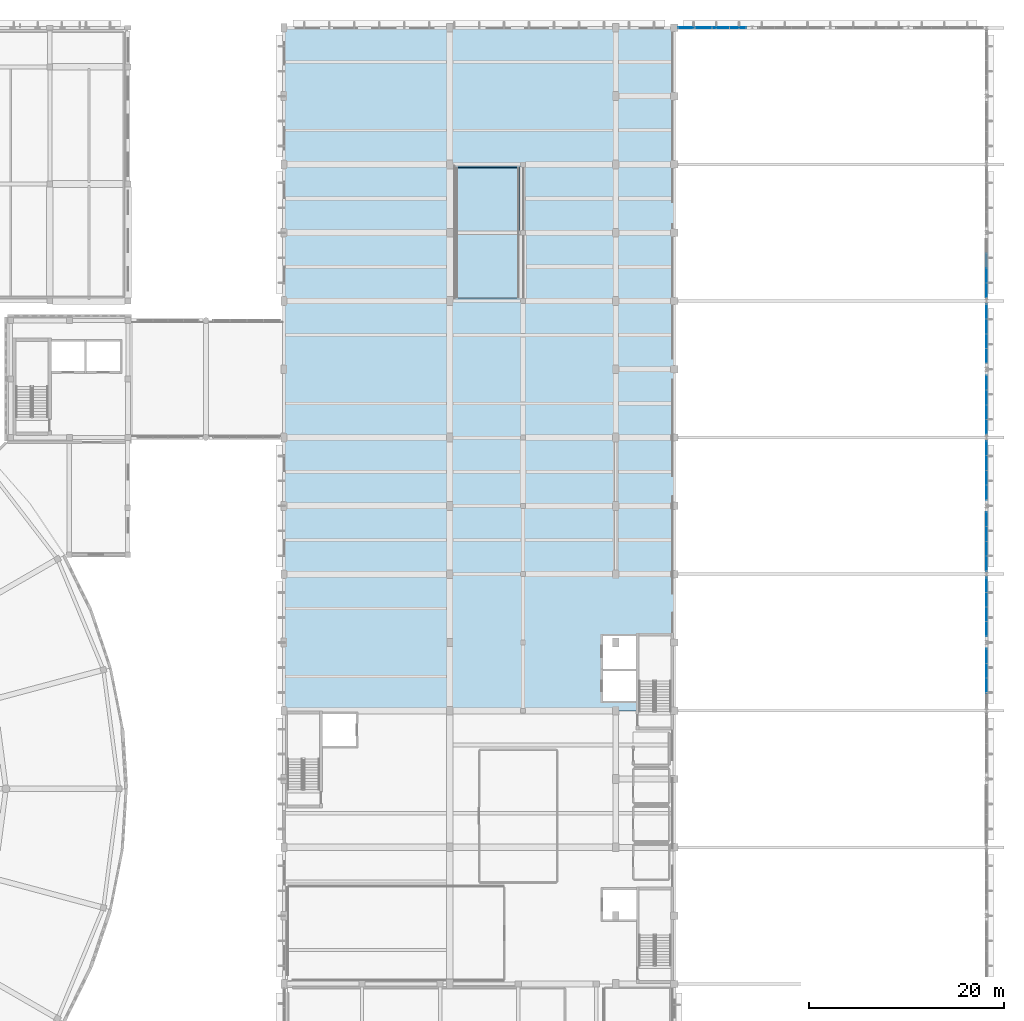
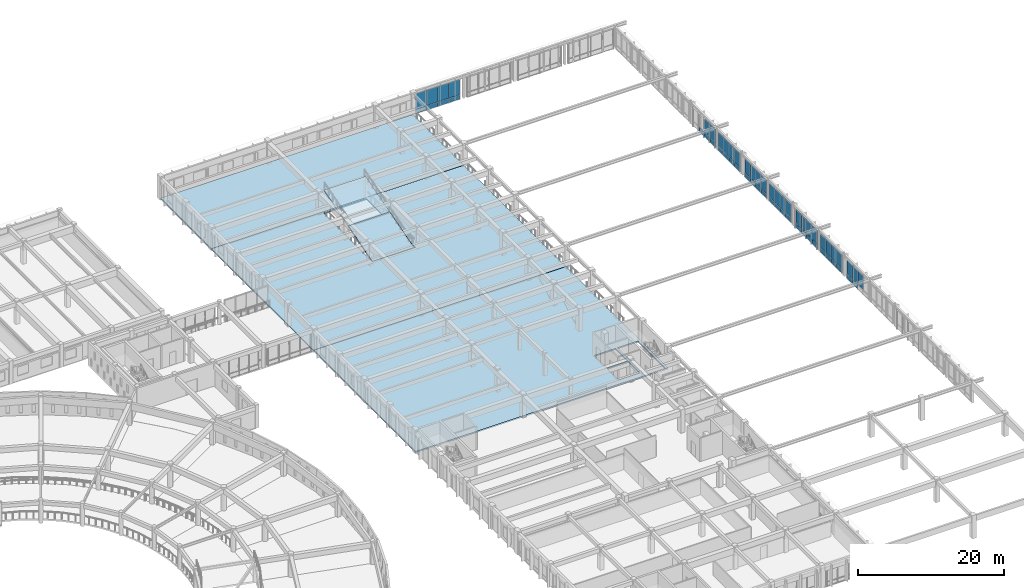
# One storey, part 51 of 98: 58 plates, 5 slabs, 8 elements without a shape of their own.
"""IFC4 building model written with IfcOpenShell, lengths in metres."""

from ifc_helpers import new_model, si_unit, direction, frame, origin, origin_2d, place, context, subcontext, project, spatial, polyline, rectangle, outline, extrude, material, layer, layer_set, type_object, element, aggregate, save


model = new_model("IFC4")

# Units and contexts
model_context = context("Model", 3, precision=1e-05, world=origin(), true_north=direction((0.0, 1.0)))
body_context = subcontext(model_context, "Body", "Model", "MODEL_VIEW")
ifc_project = project(units=[si_unit("LENGTHUNIT", "METRE"), si_unit("AREAUNIT", "SQUARE_METRE"), si_unit("VOLUMEUNIT", "CUBIC_METRE"), si_unit("PLANEANGLEUNIT", "RADIAN"), si_unit("MASSUNIT", "GRAM", prefix="KILO")], contexts=[model_context])

# Site, building, storey
site_placement = place(None, origin())
site = spatial("IfcSite", under=ifc_project, at=site_placement, CompositionType="ELEMENT")
building_placement = place(site_placement, origin())
building = spatial("IfcBuilding", under=site, at=building_placement, Name="Larkveld Mobility Hub", CompositionType="ELEMENT")
storey_placement = place(building_placement, frame((0.0, 0.0, 4.5)))
storey = spatial("IfcBuildingStorey", under=building, at=storey_placement, Name="L01", CompositionType="ELEMENT", Elevation=4.5)

# Curtain wall, plates
ifc_material_1 = material(Name="Anodised aluminium 6063-T6", Category="aluminium")
curtain_wall_type_1 = type_object("IfcCurtainWallType", Name="CW-SYS-07", PredefinedType="NOTDEFINED", material=ifc_material_1)
curtain_wall_1_placement = place(storey_placement, origin())
curtain_wall_1 = element("IfcCurtainWall", 1, at=curtain_wall_1_placement, inside=storey, type_object=curtain_wall_type_1, Name="Bus Hall Upper East Glazing B3 CW-055", PredefinedType="NOTDEFINED")
ifc_material_2 = material(Name="Low-E laminated solar-control double glazing", Category="glass")
ifc_layer_1 = layer(ifc_material_2, 0.028076171875, Name="Low-E laminated solar-control double glazing", Category="glass")
ifc_layer_set_1 = layer_set([ifc_layer_1], Name="Low-E laminated solar-control double glazing")
plate_type_1 = type_object("IfcPlateType", Name="CW-PNL-GL01", PredefinedType="CURTAIN_PANEL", material=ifc_layer_set_1)
plate_1_placement = place(storey_placement, frame((184.0, 64.388916015625, 0.75), z_axis=(0.0, 0.0, 1.0), x_axis=(0.0, 1.0, 0.0)))
plate_1 = element("IfcPlate", 2, at=plate_1_placement, type_object=plate_type_1, Name="CW07 panel 1", PredefinedType="CURTAIN_PANEL", context=body_context, shape_type="SweptSolid", body=[
    extrude(rectangle(XDim=1.47607421875, YDim=0.028076171875, at=origin_2d()), origin(), (0.0, 0.0, 1.0), 2.327880859375),
])
plate_2_placement = place(storey_placement, frame((184.0, 65.885009765625, 0.75), z_axis=(0.0, 0.0, 1.0), x_axis=(0.0, 1.0, 0.0)))
plate_2 = element("IfcPlate", 3, at=plate_2_placement, type_object=plate_type_1, Name="CW07 panel 2", PredefinedType="CURTAIN_PANEL", context=body_context, shape_type="SweptSolid", body=[
    extrude(rectangle(XDim=1.49609375, YDim=0.028076171875, at=origin_2d()), origin(), (0.0, 0.0, 1.0), 2.327880859375),
])
plate_3_placement = place(storey_placement, frame((184.0, 67.39111328125, 0.75), z_axis=(0.0, 0.0, 1.0), x_axis=(0.0, 1.0, 0.0)))
plate_3 = element("IfcPlate", 4, at=plate_3_placement, type_object=plate_type_1, Name="CW07 panel 3", PredefinedType="CURTAIN_PANEL", context=body_context, shape_type="SweptSolid", body=[
    extrude(rectangle(XDim=1.49609375, YDim=0.028076171875, at=origin_2d()), origin(), (0.0, 0.0, 1.0), 2.327880859375),
])
plate_4_placement = place(storey_placement, frame((184.0, 68.886962890625, 0.75), z_axis=(0.0, 0.0, 1.0), x_axis=(0.0, 1.0, 0.0)))
plate_4 = element("IfcPlate", 5, at=plate_4_placement, type_object=plate_type_1, Name="CW07 panel 4", PredefinedType="CURTAIN_PANEL", context=body_context, shape_type="SweptSolid", body=[
    extrude(rectangle(XDim=1.47607421875, YDim=0.028076171875, at=origin_2d()), origin(), (0.0, 0.0, 1.0), 2.327880859375),
])

curtain_wall_type_2 = type_object("IfcCurtainWallType", Name="CW-SYS-10", PredefinedType="NOTDEFINED", material=ifc_material_1)
curtain_wall_2_placement = place(storey_placement, origin())
curtain_wall_2 = element("IfcCurtainWall", 6, at=curtain_wall_2_placement, inside=storey, type_object=curtain_wall_type_2, Name="Bus Hall Upper East Glazing B5 CW-058", PredefinedType="NOTDEFINED")
plate_5_placement = place(storey_placement, frame((184.0, 85.113037109375, 0.75), z_axis=(0.0, 0.0, 1.0), x_axis=(0.0, 1.0, 0.0)))
plate_5 = element("IfcPlate", 7, at=plate_5_placement, type_object=plate_type_1, Name="CW10 panel 1", PredefinedType="CURTAIN_PANEL", context=body_context, shape_type="SweptSolid", body=[
    extrude(rectangle(XDim=1.47607421875, YDim=0.028076171875, at=origin_2d()), origin(), (0.0, 0.0, 1.0), 2.327880859375),
])
plate_6_placement = place(storey_placement, frame((184.0, 86.60888671875, 0.75), z_axis=(0.0, 0.0, 1.0), x_axis=(0.0, 1.0, 0.0)))
plate_6 = element("IfcPlate", 8, at=plate_6_placement, type_object=plate_type_1, Name="CW10 panel 2", PredefinedType="CURTAIN_PANEL", context=body_context, shape_type="SweptSolid", body=[
    extrude(rectangle(XDim=1.49609375, YDim=0.028076171875, at=origin_2d()), origin(), (0.0, 0.0, 1.0), 2.327880859375),
])
plate_7_placement = place(storey_placement, frame((184.0, 88.114990234375, 0.75), z_axis=(0.0, 0.0, 1.0), x_axis=(0.0, 1.0, 0.0)))
plate_7 = element("IfcPlate", 9, at=plate_7_placement, type_object=plate_type_1, Name="CW10 panel 3", PredefinedType="CURTAIN_PANEL", context=body_context, shape_type="SweptSolid", body=[
    extrude(rectangle(XDim=1.49609375, YDim=0.028076171875, at=origin_2d()), origin(), (0.0, 0.0, 1.0), 2.327880859375),
])
plate_8_placement = place(storey_placement, frame((184.0, 89.611083984375, 0.75), z_axis=(0.0, 0.0, 1.0), x_axis=(0.0, 1.0, 0.0)))
plate_8 = element("IfcPlate", 10, at=plate_8_placement, type_object=plate_type_1, Name="CW10 panel 4", PredefinedType="CURTAIN_PANEL", context=body_context, shape_type="SweptSolid", body=[
    extrude(rectangle(XDim=1.47607421875, YDim=0.028076171875, at=origin_2d()), origin(), (0.0, 0.0, 1.0), 2.327880859375),
])

curtain_wall_3_placement = place(storey_placement, origin())
curtain_wall_3 = element("IfcCurtainWall", 11, at=curtain_wall_3_placement, inside=storey, type_object=curtain_wall_type_1, Name="North Ridgeway Upper Concourse Curtain Wall CW-067", PredefinedType="NOTDEFINED")
plate_9_placement = place(storey_placement, frame((158.512939453125, 126.0, 0.75), z_axis=(0.0, 0.0, 1.0), x_axis=(-1.0, 0.0, 0.0)))
plate_9 = element("IfcPlate", 12, at=plate_9_placement, type_object=plate_type_1, Name="CW07 panel 1", PredefinedType="CURTAIN_PANEL", context=body_context, shape_type="SweptSolid", body=[
    extrude(rectangle(XDim=1.72412109375, YDim=0.028076171875, at=origin_2d()), origin(), (0.0, 0.0, 1.0), 2.568115234375),
])
plate_10_placement = place(storey_placement, frame((156.76904296875, 126.0, 0.75), z_axis=(0.0, 0.0, 1.0), x_axis=(-1.0, 0.0, 0.0)))
plate_10 = element("IfcPlate", 13, at=plate_10_placement, type_object=plate_type_1, Name="CW07 panel 2", PredefinedType="CURTAIN_PANEL", context=body_context, shape_type="SweptSolid", body=[
    extrude(rectangle(XDim=1.743896484375, YDim=0.028076171875, at=origin_2d()), origin(), (0.0, 0.0, 1.0), 2.568115234375),
])
plate_11_placement = place(storey_placement, frame((155.01611328125, 126.0, 0.75), z_axis=(0.0, 0.0, 1.0), x_axis=(-1.0, 0.0, 0.0)))
plate_11 = element("IfcPlate", 14, at=plate_11_placement, type_object=plate_type_1, Name="CW07 panel 3", PredefinedType="CURTAIN_PANEL", context=body_context, shape_type="SweptSolid", body=[
    extrude(rectangle(XDim=1.743896484375, YDim=0.028076171875, at=origin_2d()), origin(), (0.0, 0.0, 1.0), 2.568115234375),
])
plate_12_placement = place(storey_placement, frame((153.27197265625, 126.0, 0.75), z_axis=(0.0, 0.0, 1.0), x_axis=(-1.0, 0.0, 0.0)))
plate_12 = element("IfcPlate", 15, at=plate_12_placement, type_object=plate_type_1, Name="CW07 panel 4", PredefinedType="CURTAIN_PANEL", context=body_context, shape_type="SweptSolid", body=[
    extrude(rectangle(XDim=1.72412109375, YDim=0.028076171875, at=origin_2d()), origin(), (0.0, 0.0, 1.0), 2.568115234375),
])

curtain_wall_type_3 = type_object("IfcCurtainWallType", Name="CW-SYS-08", PredefinedType="NOTDEFINED", material=ifc_material_1)
curtain_wall_4_placement = place(storey_placement, origin())
curtain_wall_4 = element("IfcCurtainWall", 16, at=curtain_wall_4_placement, inside=storey, type_object=curtain_wall_type_3, Name="Bus Hall Upper East Glazing B4 CW-056", PredefinedType="NOTDEFINED")
ifc_material_3 = material(Name="Acoustic solar-control laminated double glazing", Category="glass")
ifc_layer_2 = layer(ifc_material_3, 0.031982421875, Name="Acoustic solar-control laminated double glazing", Category="glass")
ifc_layer_set_2 = layer_set([ifc_layer_2], Name="Acoustic solar-control laminated double glazing")
plate_type_2 = type_object("IfcPlateType", Name="CW-PNL-GL02", PredefinedType="CURTAIN_PANEL", material=ifc_layer_set_2)
plate_13_placement = place(storey_placement, frame((184.0, 71.113037109375, 0.75), z_axis=(0.0, 0.0, 1.0), x_axis=(0.0, 1.0, 0.0)))
plate_13 = element("IfcPlate", 17, at=plate_13_placement, type_object=plate_type_2, Name="CW08 panel 1", PredefinedType="CURTAIN_PANEL", context=body_context, shape_type="SweptSolid", body=[
    extrude(rectangle(XDim=1.47607421875, YDim=0.031982421875, at=origin_2d()), origin(), (0.0, 0.0, 1.0), 2.327880859375),
])
plate_14_placement = place(storey_placement, frame((184.0, 72.60888671875, 0.75), z_axis=(0.0, 0.0, 1.0), x_axis=(0.0, 1.0, 0.0)))
plate_14 = element("IfcPlate", 18, at=plate_14_placement, type_object=plate_type_2, Name="CW08 panel 2", PredefinedType="CURTAIN_PANEL", context=body_context, shape_type="SweptSolid", body=[
    extrude(rectangle(XDim=1.49609375, YDim=0.031982421875, at=origin_2d()), origin(), (0.0, 0.0, 1.0), 2.327880859375),
])
plate_15_placement = place(storey_placement, frame((184.0, 74.114990234375, 0.75), z_axis=(0.0, 0.0, 1.0), x_axis=(0.0, 1.0, 0.0)))
plate_15 = element("IfcPlate", 19, at=plate_15_placement, type_object=plate_type_2, Name="CW08 panel 3", PredefinedType="CURTAIN_PANEL", context=body_context, shape_type="SweptSolid", body=[
    extrude(rectangle(XDim=1.49609375, YDim=0.031982421875, at=origin_2d()), origin(), (0.0, 0.0, 1.0), 2.327880859375),
])
plate_16_placement = place(storey_placement, frame((184.0, 75.611083984375, 0.75), z_axis=(0.0, 0.0, 1.0), x_axis=(0.0, 1.0, 0.0)))
plate_16 = element("IfcPlate", 20, at=plate_16_placement, type_object=plate_type_2, Name="CW08 panel 4", PredefinedType="CURTAIN_PANEL", context=body_context, shape_type="SweptSolid", body=[
    extrude(rectangle(XDim=1.47607421875, YDim=0.031982421875, at=origin_2d()), origin(), (0.0, 0.0, 1.0), 2.327880859375),
])

curtain_wall_type_4 = type_object("IfcCurtainWallType", Name="CW-SYS-11", PredefinedType="NOTDEFINED", material=ifc_material_1)
curtain_wall_5_placement = place(storey_placement, origin())
curtain_wall_5 = element("IfcCurtainWall", 21, at=curtain_wall_5_placement, inside=storey, type_object=curtain_wall_type_4, Name="Bus Hall Upper East Glazing B5 CW-059", PredefinedType="NOTDEFINED")
plate_17_placement = place(storey_placement, frame((184.0, 92.388916015625, 0.75), z_axis=(0.0, 0.0, 1.0), x_axis=(0.0, 1.0, 0.0)))
plate_17 = element("IfcPlate", 22, at=plate_17_placement, type_object=plate_type_2, Name="CW11 panel 1", PredefinedType="CURTAIN_PANEL", context=body_context, shape_type="SweptSolid", body=[
    extrude(rectangle(XDim=1.47607421875, YDim=0.031982421875, at=origin_2d()), origin(), (0.0, 0.0, 1.0), 2.327880859375),
])
plate_18_placement = place(storey_placement, frame((184.0, 93.885009765625, 0.75), z_axis=(0.0, 0.0, 1.0), x_axis=(0.0, 1.0, 0.0)))
plate_18 = element("IfcPlate", 23, at=plate_18_placement, type_object=plate_type_2, Name="CW11 panel 2", PredefinedType="CURTAIN_PANEL", context=body_context, shape_type="SweptSolid", body=[
    extrude(rectangle(XDim=1.49609375, YDim=0.031982421875, at=origin_2d()), origin(), (0.0, 0.0, 1.0), 2.327880859375),
])
plate_19_placement = place(storey_placement, frame((184.0, 95.39111328125, 0.75), z_axis=(0.0, 0.0, 1.0), x_axis=(0.0, 1.0, 0.0)))
plate_19 = element("IfcPlate", 24, at=plate_19_placement, type_object=plate_type_2, Name="CW11 panel 3", PredefinedType="CURTAIN_PANEL", context=body_context, shape_type="SweptSolid", body=[
    extrude(rectangle(XDim=1.49609375, YDim=0.031982421875, at=origin_2d()), origin(), (0.0, 0.0, 1.0), 2.327880859375),
])
plate_20_placement = place(storey_placement, frame((184.0, 96.886962890625, 0.75), z_axis=(0.0, 0.0, 1.0), x_axis=(0.0, 1.0, 0.0)))
plate_20 = element("IfcPlate", 25, at=plate_20_placement, type_object=plate_type_2, Name="CW11 panel 4", PredefinedType="CURTAIN_PANEL", context=body_context, shape_type="SweptSolid", body=[
    extrude(rectangle(XDim=1.47607421875, YDim=0.031982421875, at=origin_2d()), origin(), (0.0, 0.0, 1.0), 2.327880859375),
])

curtain_wall_type_5 = type_object("IfcCurtainWallType", Name="CW-SYS-06", PredefinedType="NOTDEFINED", material=ifc_material_1)
curtain_wall_6_placement = place(storey_placement, origin())
curtain_wall_6 = element("IfcCurtainWall", 26, at=curtain_wall_6_placement, inside=storey, type_object=curtain_wall_type_5, Name="Bus Hall Upper East Glazing B3 CW-054", PredefinedType="NOTDEFINED")
ifc_material_4 = material(Name="Tinted safety double glazing", Category="glass")
ifc_layer_3 = layer(ifc_material_4, 0.035888671875, Name="Tinted safety double glazing", Category="glass")
ifc_layer_set_3 = layer_set([ifc_layer_3], Name="Tinted safety double glazing")
plate_type_3 = type_object("IfcPlateType", Name="CW-PNL-GL03", PredefinedType="CURTAIN_PANEL", material=ifc_layer_set_3)
plate_21_placement = place(storey_placement, frame((184.0, 58.60888671875, 0.75), z_axis=(0.0, 0.0, 1.0), x_axis=(0.0, 1.0, 0.0)))
plate_21 = element("IfcPlate", 27, at=plate_21_placement, type_object=plate_type_3, Name="CW06 panel 2", PredefinedType="CURTAIN_PANEL", context=body_context, shape_type="SweptSolid", body=[
    extrude(rectangle(XDim=1.49609375, YDim=0.035888671875, at=origin_2d()), origin(), (0.0, 0.0, 1.0), 2.327880859375),
])
plate_22_placement = place(storey_placement, frame((184.0, 60.114990234375, 0.75), z_axis=(0.0, 0.0, 1.0), x_axis=(0.0, 1.0, 0.0)))
plate_22 = element("IfcPlate", 28, at=plate_22_placement, type_object=plate_type_3, Name="CW06 panel 3", PredefinedType="CURTAIN_PANEL", context=body_context, shape_type="SweptSolid", body=[
    extrude(rectangle(XDim=1.49609375, YDim=0.035888671875, at=origin_2d()), origin(), (0.0, 0.0, 1.0), 2.327880859375),
])
plate_23_placement = place(storey_placement, frame((184.0, 61.611083984375, 0.75), z_axis=(0.0, 0.0, 1.0), x_axis=(0.0, 1.0, 0.0)))
plate_23 = element("IfcPlate", 29, at=plate_23_placement, type_object=plate_type_3, Name="CW06 panel 4", PredefinedType="CURTAIN_PANEL", context=body_context, shape_type="SweptSolid", body=[
    extrude(rectangle(XDim=1.47607421875, YDim=0.035888671875, at=origin_2d()), origin(), (0.0, 0.0, 1.0), 2.327880859375),
])

curtain_wall_type_6 = type_object("IfcCurtainWallType", Name="CW-SYS-09", PredefinedType="NOTDEFINED", material=ifc_material_1)
curtain_wall_7_placement = place(storey_placement, origin())
curtain_wall_7 = element("IfcCurtainWall", 30, at=curtain_wall_7_placement, inside=storey, type_object=curtain_wall_type_6, Name="Bus Hall Upper East Glazing B4 CW-057", PredefinedType="NOTDEFINED")
plate_24_placement = place(storey_placement, frame((184.0, 78.388916015625, 0.75), z_axis=(0.0, 0.0, 1.0), x_axis=(0.0, 1.0, 0.0)))
plate_24 = element("IfcPlate", 31, at=plate_24_placement, type_object=plate_type_3, Name="CW09 panel 1", PredefinedType="CURTAIN_PANEL", context=body_context, shape_type="SweptSolid", body=[
    extrude(rectangle(XDim=1.47607421875, YDim=0.035888671875, at=origin_2d()), origin(), (0.0, 0.0, 1.0), 2.327880859375),
])
plate_25_placement = place(storey_placement, frame((184.0, 79.885009765625, 0.75), z_axis=(0.0, 0.0, 1.0), x_axis=(0.0, 1.0, 0.0)))
plate_25 = element("IfcPlate", 32, at=plate_25_placement, type_object=plate_type_3, Name="CW09 panel 2", PredefinedType="CURTAIN_PANEL", context=body_context, shape_type="SweptSolid", body=[
    extrude(rectangle(XDim=1.49609375, YDim=0.035888671875, at=origin_2d()), origin(), (0.0, 0.0, 1.0), 2.327880859375),
])
plate_26_placement = place(storey_placement, frame((184.0, 81.39111328125, 0.75), z_axis=(0.0, 0.0, 1.0), x_axis=(0.0, 1.0, 0.0)))
plate_26 = element("IfcPlate", 33, at=plate_26_placement, type_object=plate_type_3, Name="CW09 panel 3", PredefinedType="CURTAIN_PANEL", context=body_context, shape_type="SweptSolid", body=[
    extrude(rectangle(XDim=1.49609375, YDim=0.035888671875, at=origin_2d()), origin(), (0.0, 0.0, 1.0), 2.327880859375),
])
plate_27_placement = place(storey_placement, frame((184.0, 82.886962890625, 0.75), z_axis=(0.0, 0.0, 1.0), x_axis=(0.0, 1.0, 0.0)))
plate_27 = element("IfcPlate", 34, at=plate_27_placement, type_object=plate_type_3, Name="CW09 panel 4", PredefinedType="CURTAIN_PANEL", context=body_context, shape_type="SweptSolid", body=[
    extrude(rectangle(XDim=1.47607421875, YDim=0.035888671875, at=origin_2d()), origin(), (0.0, 0.0, 1.0), 2.327880859375),
])

curtain_wall_type_7 = type_object("IfcCurtainWallType", Name="CW-SYS-12", PredefinedType="NOTDEFINED", material=ifc_material_1)
curtain_wall_8_placement = place(storey_placement, origin())
curtain_wall_8 = element("IfcCurtainWall", 35, at=curtain_wall_8_placement, inside=storey, type_object=curtain_wall_type_7, Name="Bus Hall Upper East Glazing B6 CW-060", PredefinedType="NOTDEFINED")
plate_28_placement = place(storey_placement, frame((184.0, 99.113037109375, 0.75), z_axis=(0.0, 0.0, 1.0), x_axis=(0.0, 1.0, 0.0)))
plate_28 = element("IfcPlate", 36, at=plate_28_placement, type_object=plate_type_3, Name="CW12 panel 1", PredefinedType="CURTAIN_PANEL", context=body_context, shape_type="SweptSolid", body=[
    extrude(rectangle(XDim=1.47607421875, YDim=0.035888671875, at=origin_2d()), origin(), (0.0, 0.0, 1.0), 2.327880859375),
])
plate_29_placement = place(storey_placement, frame((184.0, 100.60888671875, 0.75), z_axis=(0.0, 0.0, 1.0), x_axis=(0.0, 1.0, 0.0)))
plate_29 = element("IfcPlate", 37, at=plate_29_placement, type_object=plate_type_3, Name="CW12 panel 2", PredefinedType="CURTAIN_PANEL", context=body_context, shape_type="SweptSolid", body=[
    extrude(rectangle(XDim=1.49609375, YDim=0.035888671875, at=origin_2d()), origin(), (0.0, 0.0, 1.0), 2.327880859375),
])

# Plate
ifc_material_5 = material(Name="Insulated fluoropolymer aluminium spandrel", Category="aluminium")
ifc_layer_4 = layer(ifc_material_5, 0.06494140625, Name="Insulated fluoropolymer aluminium spandrel", Category="aluminium")
ifc_layer_set_4 = layer_set([ifc_layer_4], Name="Insulated fluoropolymer aluminium spandrel")
plate_type_4 = type_object("IfcPlateType", Name="CW-PNL-SP01", PredefinedType="CURTAIN_PANEL", material=ifc_layer_set_4)
plate_30_placement = place(storey_placement, frame((184.0, 64.388916015625, 0.0), z_axis=(0.0, 0.0, 1.0), x_axis=(0.0, 1.0, 0.0)))
plate_30 = element("IfcPlate", 38, at=plate_30_placement, type_object=plate_type_4, Name="CW07 spandrel 1", PredefinedType="CURTAIN_PANEL", context=body_context, shape_type="SweptSolid", body=[
    extrude(rectangle(XDim=1.47607421875, YDim=0.06494140625, at=origin_2d()), origin(), (0.0, 0.0, 1.0), 0.738037109375),
])

plate_31_placement = place(storey_placement, frame((184.0, 65.885009765625, 0.0), z_axis=(0.0, 0.0, 1.0), x_axis=(0.0, 1.0, 0.0)))
plate_31 = element("IfcPlate", 39, at=plate_31_placement, type_object=plate_type_4, Name="CW07 spandrel 2", PredefinedType="CURTAIN_PANEL", context=body_context, shape_type="SweptSolid", body=[
    extrude(rectangle(XDim=1.49609375, YDim=0.06494140625, at=origin_2d()), origin(), (0.0, 0.0, 1.0), 0.738037109375),
])

plate_32_placement = place(storey_placement, frame((184.0, 67.39111328125, 0.0), z_axis=(0.0, 0.0, 1.0), x_axis=(0.0, 1.0, 0.0)))
plate_32 = element("IfcPlate", 40, at=plate_32_placement, type_object=plate_type_4, Name="CW07 spandrel 3", PredefinedType="CURTAIN_PANEL", context=body_context, shape_type="SweptSolid", body=[
    extrude(rectangle(XDim=1.49609375, YDim=0.06494140625, at=origin_2d()), origin(), (0.0, 0.0, 1.0), 0.738037109375),
])

plate_33_placement = place(storey_placement, frame((184.0, 68.886962890625, 0.0), z_axis=(0.0, 0.0, 1.0), x_axis=(0.0, 1.0, 0.0)))
plate_33 = element("IfcPlate", 41, at=plate_33_placement, type_object=plate_type_4, Name="CW07 spandrel 4", PredefinedType="CURTAIN_PANEL", context=body_context, shape_type="SweptSolid", body=[
    extrude(rectangle(XDim=1.47607421875, YDim=0.06494140625, at=origin_2d()), origin(), (0.0, 0.0, 1.0), 0.738037109375),
])

aggregate(curtain_wall_1, [plate_30, plate_1, plate_31, plate_2, plate_32, plate_3, plate_33, plate_4])

plate_34_placement = place(storey_placement, frame((184.0, 78.388916015625, 0.0), z_axis=(0.0, 0.0, 1.0), x_axis=(0.0, 1.0, 0.0)))
plate_34 = element("IfcPlate", 42, at=plate_34_placement, type_object=plate_type_4, Name="CW09 spandrel 1", PredefinedType="CURTAIN_PANEL", context=body_context, shape_type="SweptSolid", body=[
    extrude(rectangle(XDim=1.47607421875, YDim=0.06494140625, at=origin_2d()), origin(), (0.0, 0.0, 1.0), 0.738037109375),
])

plate_35_placement = place(storey_placement, frame((184.0, 79.885009765625, 0.0), z_axis=(0.0, 0.0, 1.0), x_axis=(0.0, 1.0, 0.0)))
plate_35 = element("IfcPlate", 43, at=plate_35_placement, type_object=plate_type_4, Name="CW09 spandrel 2", PredefinedType="CURTAIN_PANEL", context=body_context, shape_type="SweptSolid", body=[
    extrude(rectangle(XDim=1.49609375, YDim=0.06494140625, at=origin_2d()), origin(), (0.0, 0.0, 1.0), 0.738037109375),
])

plate_36_placement = place(storey_placement, frame((184.0, 81.39111328125, 0.0), z_axis=(0.0, 0.0, 1.0), x_axis=(0.0, 1.0, 0.0)))
plate_36 = element("IfcPlate", 44, at=plate_36_placement, type_object=plate_type_4, Name="CW09 spandrel 3", PredefinedType="CURTAIN_PANEL", context=body_context, shape_type="SweptSolid", body=[
    extrude(rectangle(XDim=1.49609375, YDim=0.06494140625, at=origin_2d()), origin(), (0.0, 0.0, 1.0), 0.738037109375),
])

plate_37_placement = place(storey_placement, frame((184.0, 82.886962890625, 0.0), z_axis=(0.0, 0.0, 1.0), x_axis=(0.0, 1.0, 0.0)))
plate_37 = element("IfcPlate", 45, at=plate_37_placement, type_object=plate_type_4, Name="CW09 spandrel 4", PredefinedType="CURTAIN_PANEL", context=body_context, shape_type="SweptSolid", body=[
    extrude(rectangle(XDim=1.47607421875, YDim=0.06494140625, at=origin_2d()), origin(), (0.0, 0.0, 1.0), 0.738037109375),
])

aggregate(curtain_wall_7, [plate_34, plate_24, plate_35, plate_25, plate_36, plate_26, plate_37, plate_27])

plate_38_placement = place(storey_placement, frame((184.0, 92.388916015625, 0.0), z_axis=(0.0, 0.0, 1.0), x_axis=(0.0, 1.0, 0.0)))
plate_38 = element("IfcPlate", 46, at=plate_38_placement, type_object=plate_type_4, Name="CW11 spandrel 1", PredefinedType="CURTAIN_PANEL", context=body_context, shape_type="SweptSolid", body=[
    extrude(rectangle(XDim=1.47607421875, YDim=0.06494140625, at=origin_2d()), origin(), (0.0, 0.0, 1.0), 0.738037109375),
])

plate_39_placement = place(storey_placement, frame((184.0, 93.885009765625, 0.0), z_axis=(0.0, 0.0, 1.0), x_axis=(0.0, 1.0, 0.0)))
plate_39 = element("IfcPlate", 47, at=plate_39_placement, type_object=plate_type_4, Name="CW11 spandrel 2", PredefinedType="CURTAIN_PANEL", context=body_context, shape_type="SweptSolid", body=[
    extrude(rectangle(XDim=1.49609375, YDim=0.06494140625, at=origin_2d()), origin(), (0.0, 0.0, 1.0), 0.738037109375),
])

plate_40_placement = place(storey_placement, frame((184.0, 95.39111328125, 0.0), z_axis=(0.0, 0.0, 1.0), x_axis=(0.0, 1.0, 0.0)))
plate_40 = element("IfcPlate", 48, at=plate_40_placement, type_object=plate_type_4, Name="CW11 spandrel 3", PredefinedType="CURTAIN_PANEL", context=body_context, shape_type="SweptSolid", body=[
    extrude(rectangle(XDim=1.49609375, YDim=0.06494140625, at=origin_2d()), origin(), (0.0, 0.0, 1.0), 0.738037109375),
])

plate_41_placement = place(storey_placement, frame((184.0, 96.886962890625, 0.0), z_axis=(0.0, 0.0, 1.0), x_axis=(0.0, 1.0, 0.0)))
plate_41 = element("IfcPlate", 49, at=plate_41_placement, type_object=plate_type_4, Name="CW11 spandrel 4", PredefinedType="CURTAIN_PANEL", context=body_context, shape_type="SweptSolid", body=[
    extrude(rectangle(XDim=1.47607421875, YDim=0.06494140625, at=origin_2d()), origin(), (0.0, 0.0, 1.0), 0.738037109375),
])

aggregate(curtain_wall_5, [plate_38, plate_17, plate_39, plate_18, plate_40, plate_19, plate_41, plate_20])

plate_42_placement = place(storey_placement, frame((158.512939453125, 126.0, 0.0), z_axis=(0.0, 0.0, 1.0), x_axis=(-1.0, 0.0, 0.0)))
plate_42 = element("IfcPlate", 50, at=plate_42_placement, type_object=plate_type_4, Name="CW07 spandrel 1", PredefinedType="CURTAIN_PANEL", context=body_context, shape_type="SweptSolid", body=[
    extrude(rectangle(XDim=1.72412109375, YDim=0.06494140625, at=origin_2d()), origin(), (0.0, 0.0, 1.0), 0.738037109375),
])

plate_43_placement = place(storey_placement, frame((156.76904296875, 126.0, 0.0), z_axis=(0.0, 0.0, 1.0), x_axis=(-1.0, 0.0, 0.0)))
plate_43 = element("IfcPlate", 51, at=plate_43_placement, type_object=plate_type_4, Name="CW07 spandrel 2", PredefinedType="CURTAIN_PANEL", context=body_context, shape_type="SweptSolid", body=[
    extrude(rectangle(XDim=1.743896484375, YDim=0.06494140625, at=origin_2d()), origin(), (0.0, 0.0, 1.0), 0.738037109375),
])

plate_44_placement = place(storey_placement, frame((155.01611328125, 126.0, 0.0), z_axis=(0.0, 0.0, 1.0), x_axis=(-1.0, 0.0, 0.0)))
plate_44 = element("IfcPlate", 52, at=plate_44_placement, type_object=plate_type_4, Name="CW07 spandrel 3", PredefinedType="CURTAIN_PANEL", context=body_context, shape_type="SweptSolid", body=[
    extrude(rectangle(XDim=1.743896484375, YDim=0.06494140625, at=origin_2d()), origin(), (0.0, 0.0, 1.0), 0.738037109375),
])

plate_45_placement = place(storey_placement, frame((153.27197265625, 126.0, 0.0), z_axis=(0.0, 0.0, 1.0), x_axis=(-1.0, 0.0, 0.0)))
plate_45 = element("IfcPlate", 53, at=plate_45_placement, type_object=plate_type_4, Name="CW07 spandrel 4", PredefinedType="CURTAIN_PANEL", context=body_context, shape_type="SweptSolid", body=[
    extrude(rectangle(XDim=1.72412109375, YDim=0.06494140625, at=origin_2d()), origin(), (0.0, 0.0, 1.0), 0.738037109375),
])

aggregate(curtain_wall_3, [plate_42, plate_9, plate_43, plate_10, plate_44, plate_11, plate_45, plate_12])

ifc_material_6 = material(Name="Insulated terracotta-toned aluminium spandrel", Category="masonry")
ifc_layer_5 = layer(ifc_material_6, 0.080078125, Name="Insulated terracotta-toned aluminium spandrel", Category="masonry")
ifc_layer_set_5 = layer_set([ifc_layer_5], Name="Insulated terracotta-toned aluminium spandrel")
plate_type_5 = type_object("IfcPlateType", Name="CW-PNL-SP02", PredefinedType="CURTAIN_PANEL", material=ifc_layer_set_5)
plate_46_placement = place(storey_placement, frame((184.0, 60.114990234375, 0.0), z_axis=(0.0, 0.0, 1.0), x_axis=(0.0, 1.0, 0.0)))
plate_46 = element("IfcPlate", 54, at=plate_46_placement, type_object=plate_type_5, Name="CW06 spandrel 3", PredefinedType="CURTAIN_PANEL", context=body_context, shape_type="SweptSolid", body=[
    extrude(rectangle(XDim=1.49609375, YDim=0.080078125, at=origin_2d()), origin(), (0.0, 0.0, 1.0), 0.738037109375),
])

plate_47_placement = place(storey_placement, frame((184.0, 61.611083984375, 0.0), z_axis=(0.0, 0.0, 1.0), x_axis=(0.0, 1.0, 0.0)))
plate_47 = element("IfcPlate", 55, at=plate_47_placement, type_object=plate_type_5, Name="CW06 spandrel 4", PredefinedType="CURTAIN_PANEL", context=body_context, shape_type="SweptSolid", body=[
    extrude(rectangle(XDim=1.47607421875, YDim=0.080078125, at=origin_2d()), origin(), (0.0, 0.0, 1.0), 0.738037109375),
])

aggregate(curtain_wall_6, [plate_21, plate_46, plate_22, plate_47, plate_23])

plate_48_placement = place(storey_placement, frame((184.0, 71.113037109375, 0.0), z_axis=(0.0, 0.0, 1.0), x_axis=(0.0, 1.0, 0.0)))
plate_48 = element("IfcPlate", 56, at=plate_48_placement, type_object=plate_type_5, Name="CW08 spandrel 1", PredefinedType="CURTAIN_PANEL", context=body_context, shape_type="SweptSolid", body=[
    extrude(rectangle(XDim=1.47607421875, YDim=0.080078125, at=origin_2d()), origin(), (0.0, 0.0, 1.0), 0.738037109375),
])

plate_49_placement = place(storey_placement, frame((184.0, 72.60888671875, 0.0), z_axis=(0.0, 0.0, 1.0), x_axis=(0.0, 1.0, 0.0)))
plate_49 = element("IfcPlate", 57, at=plate_49_placement, type_object=plate_type_5, Name="CW08 spandrel 2", PredefinedType="CURTAIN_PANEL", context=body_context, shape_type="SweptSolid", body=[
    extrude(rectangle(XDim=1.49609375, YDim=0.080078125, at=origin_2d()), origin(), (0.0, 0.0, 1.0), 0.738037109375),
])

plate_50_placement = place(storey_placement, frame((184.0, 74.114990234375, 0.0), z_axis=(0.0, 0.0, 1.0), x_axis=(0.0, 1.0, 0.0)))
plate_50 = element("IfcPlate", 58, at=plate_50_placement, type_object=plate_type_5, Name="CW08 spandrel 3", PredefinedType="CURTAIN_PANEL", context=body_context, shape_type="SweptSolid", body=[
    extrude(rectangle(XDim=1.49609375, YDim=0.080078125, at=origin_2d()), origin(), (0.0, 0.0, 1.0), 0.738037109375),
])

plate_51_placement = place(storey_placement, frame((184.0, 75.611083984375, 0.0), z_axis=(0.0, 0.0, 1.0), x_axis=(0.0, 1.0, 0.0)))
plate_51 = element("IfcPlate", 59, at=plate_51_placement, type_object=plate_type_5, Name="CW08 spandrel 4", PredefinedType="CURTAIN_PANEL", context=body_context, shape_type="SweptSolid", body=[
    extrude(rectangle(XDim=1.47607421875, YDim=0.080078125, at=origin_2d()), origin(), (0.0, 0.0, 1.0), 0.738037109375),
])

aggregate(curtain_wall_4, [plate_48, plate_13, plate_49, plate_14, plate_50, plate_15, plate_51, plate_16])

plate_52_placement = place(storey_placement, frame((184.0, 85.113037109375, 0.0), z_axis=(0.0, 0.0, 1.0), x_axis=(0.0, 1.0, 0.0)))
plate_52 = element("IfcPlate", 60, at=plate_52_placement, type_object=plate_type_5, Name="CW10 spandrel 1", PredefinedType="CURTAIN_PANEL", context=body_context, shape_type="SweptSolid", body=[
    extrude(rectangle(XDim=1.47607421875, YDim=0.080078125, at=origin_2d()), origin(), (0.0, 0.0, 1.0), 0.738037109375),
])

plate_53_placement = place(storey_placement, frame((184.0, 86.60888671875, 0.0), z_axis=(0.0, 0.0, 1.0), x_axis=(0.0, 1.0, 0.0)))
plate_53 = element("IfcPlate", 61, at=plate_53_placement, type_object=plate_type_5, Name="CW10 spandrel 2", PredefinedType="CURTAIN_PANEL", context=body_context, shape_type="SweptSolid", body=[
    extrude(rectangle(XDim=1.49609375, YDim=0.080078125, at=origin_2d()), origin(), (0.0, 0.0, 1.0), 0.738037109375),
])

plate_54_placement = place(storey_placement, frame((184.0, 88.114990234375, 0.0), z_axis=(0.0, 0.0, 1.0), x_axis=(0.0, 1.0, 0.0)))
plate_54 = element("IfcPlate", 62, at=plate_54_placement, type_object=plate_type_5, Name="CW10 spandrel 3", PredefinedType="CURTAIN_PANEL", context=body_context, shape_type="SweptSolid", body=[
    extrude(rectangle(XDim=1.49609375, YDim=0.080078125, at=origin_2d()), origin(), (0.0, 0.0, 1.0), 0.738037109375),
])

plate_55_placement = place(storey_placement, frame((184.0, 89.611083984375, 0.0), z_axis=(0.0, 0.0, 1.0), x_axis=(0.0, 1.0, 0.0)))
plate_55 = element("IfcPlate", 63, at=plate_55_placement, type_object=plate_type_5, Name="CW10 spandrel 4", PredefinedType="CURTAIN_PANEL", context=body_context, shape_type="SweptSolid", body=[
    extrude(rectangle(XDim=1.47607421875, YDim=0.080078125, at=origin_2d()), origin(), (0.0, 0.0, 1.0), 0.738037109375),
])

aggregate(curtain_wall_2, [plate_52, plate_5, plate_53, plate_6, plate_54, plate_7, plate_55, plate_8])

plate_56_placement = place(storey_placement, frame((184.0, 99.113037109375, 0.0), z_axis=(0.0, 0.0, 1.0), x_axis=(0.0, 1.0, 0.0)))
plate_56 = element("IfcPlate", 64, at=plate_56_placement, type_object=plate_type_5, Name="CW12 spandrel 1", PredefinedType="CURTAIN_PANEL", context=body_context, shape_type="SweptSolid", body=[
    extrude(rectangle(XDim=1.47607421875, YDim=0.080078125, at=origin_2d()), origin(), (0.0, 0.0, 1.0), 0.738037109375),
])

plate_57_placement = place(storey_placement, frame((184.0, 100.60888671875, 0.0), z_axis=(0.0, 0.0, 1.0), x_axis=(0.0, 1.0, 0.0)))
plate_57 = element("IfcPlate", 65, at=plate_57_placement, type_object=plate_type_5, Name="CW12 spandrel 2", PredefinedType="CURTAIN_PANEL", context=body_context, shape_type="SweptSolid", body=[
    extrude(rectangle(XDim=1.49609375, YDim=0.080078125, at=origin_2d()), origin(), (0.0, 0.0, 1.0), 0.738037109375),
])

plate_58_placement = place(storey_placement, frame((184.0, 102.114990234375, 0.0), z_axis=(0.0, 0.0, 1.0), x_axis=(0.0, 1.0, 0.0)))
plate_58 = element("IfcPlate", 66, at=plate_58_placement, type_object=plate_type_5, Name="CW12 spandrel 3", PredefinedType="CURTAIN_PANEL", context=body_context, shape_type="SweptSolid", body=[
    extrude(rectangle(XDim=1.49609375, YDim=0.080078125, at=origin_2d()), origin(), (0.0, 0.0, 1.0), 0.738037109375),
])

aggregate(curtain_wall_8, [plate_56, plate_28, plate_57, plate_29, plate_58])

# Slabs
ifc_material_7 = material(Name="Concrete C40/50", Category="concrete")
ifc_layer_6 = layer(ifc_material_7, 0.215087890625, Name="Concrete C40/50", Category="concrete")
ifc_layer_set_6 = layer_set([ifc_layer_6], Name="Concrete C40/50")
slab_type_1 = type_object("IfcSlabType", Name="SL-DT-215", PredefinedType="FLOOR", material=ifc_layer_set_6)
slab_1_placement = place(storey_placement, frame((0.0, 0.0, -0.215087890625)))
element("IfcSlab", 67, at=slab_1_placement, inside=storey, type_object=slab_type_1, Name="EV Wing and Sports Pavilion Slab L01-138", PredefinedType="FLOOR", context=body_context, shape_type="SweptSolid", body=[
    extrude(outline(polyline([(112.0, 84.0), (152.0, 84.0), (152.0, 112.0), (112.0, 112.0), (112.0, 84.0)]), holes=[polyline([(129.580078125, 98.330078125), (129.580078125, 111.75), (136.39990234375, 111.75), (136.39990234375, 98.330078125), (129.580078125, 98.330078125)])]), origin(), (0.0, 0.0, 1.0), 0.215087890625),
])
ifc_layer_7 = layer(ifc_material_7, 0.22998046875, Name="Concrete C40/50", Category="concrete")
ifc_layer_set_7 = layer_set([ifc_layer_7], Name="Concrete C40/50")
slab_type_2 = type_object("IfcSlabType", Name="SL-FLR-230", PredefinedType="FLOOR", material=ifc_layer_set_7)
slab_2_placement = place(storey_placement, frame((0.0, 0.0, -0.22998046875)))
element("IfcSlab", 68, at=slab_2_placement, inside=storey, type_object=slab_type_2, Name="EV Wing and Sports Pavilion Slab L01-137", PredefinedType="FLOOR", context=body_context, shape_type="SweptSolid", body=[
    extrude(outline(polyline([(112.0, 56.0), (152.0, 56.0), (152.0, 84.0), (112.0, 84.0), (112.0, 56.0)]), holes=[polyline([(148.3798828125, 56.06005859375), (148.3798828125, 63.64990234375), (151.64990234375, 63.64990234375), (151.64990234375, 56.06005859375), (148.3798828125, 56.06005859375)]), polyline([(144.679931640625, 60.300048828125), (144.679931640625, 63.64990234375), (148.080078125, 63.64990234375), (148.080078125, 60.300048828125), (144.679931640625, 60.300048828125)]), polyline([(144.679931640625, 57.0), (144.679931640625, 60.080078125), (148.080078125, 60.080078125), (148.080078125, 57.0), (144.679931640625, 57.0)])]), origin(), (0.0, 0.0, 1.0), 0.22998046875),
])
slab_3_placement = place(storey_placement, frame((0.0, 0.0, -0.22998046875)))
element("IfcSlab", 69, at=slab_3_placement, inside=storey, type_object=slab_type_2, Name="EV Wing and Sports Pavilion Slab L01-139", PredefinedType="FLOOR", context=body_context, shape_type="SweptSolid", body=[
    extrude(outline(polyline([(112.0, 112.0), (152.0, 112.0), (152.0, 126.0), (112.0, 126.0), (112.0, 112.0)])), origin(), (0.0, 0.0, 1.0), 0.22998046875),
])
ifc_layer_8 = layer(ifc_material_7, 0.239990234375, Name="Concrete C40/50", Category="concrete")
ifc_layer_set_8 = layer_set([ifc_layer_8], Name="Concrete C40/50")
slab_type_3 = type_object("IfcSlabType", Name="SL-RMP-EV-240", PredefinedType="FLOOR", material=ifc_layer_set_8)
for number, where, z_axis, x_axis, name in (
    (70, (129.60009765625, 98.35009765625, 0.0), (0.0, -0.281382305369, 0.959595747294), (1.0, 0.0, 0.0), "EV car park inter-deck vehicle ramp slab L01-1"),
    (71, (129.60009765625, 105.0, 1.949951171875), (0.0, -0.281382305369, 0.959595747294), (1.0, 0.0, 0.0), "EV car park inter-deck vehicle ramp slab L01-2"),
):
    element("IfcSlab", number, at=place(storey_placement, frame(where, z_axis=z_axis, x_axis=x_axis)), inside=storey, type_object=slab_type_3, Name=name, PredefinedType="FLOOR", context=body_context, shape_type="SweptSolid", body=[
        extrude(outline(polyline([(0.0, 0.0), (6.599853515625, 0.0), (6.599853515625, 6.929899765083794), (0.0, 6.929899765083794), (0.0, 0.0)])), origin(), (0.0, 0.0, -1.0), 0.239990234375),
    ])

save(model, "model.ifc")
